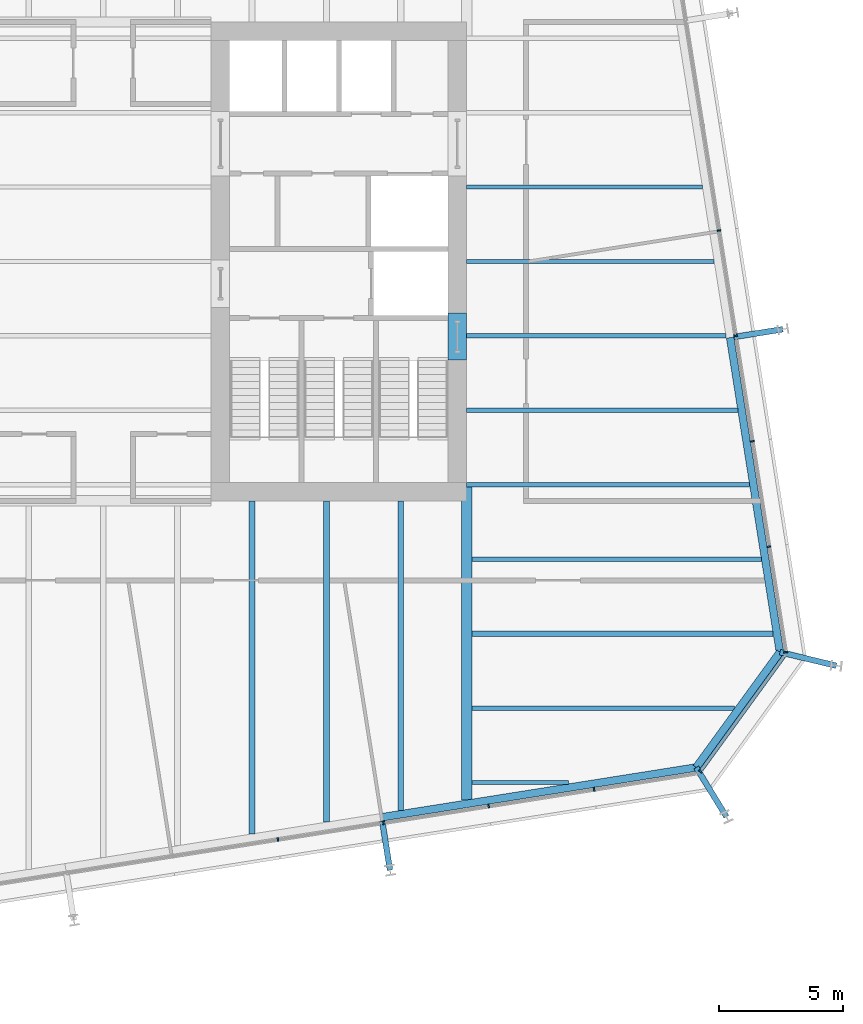
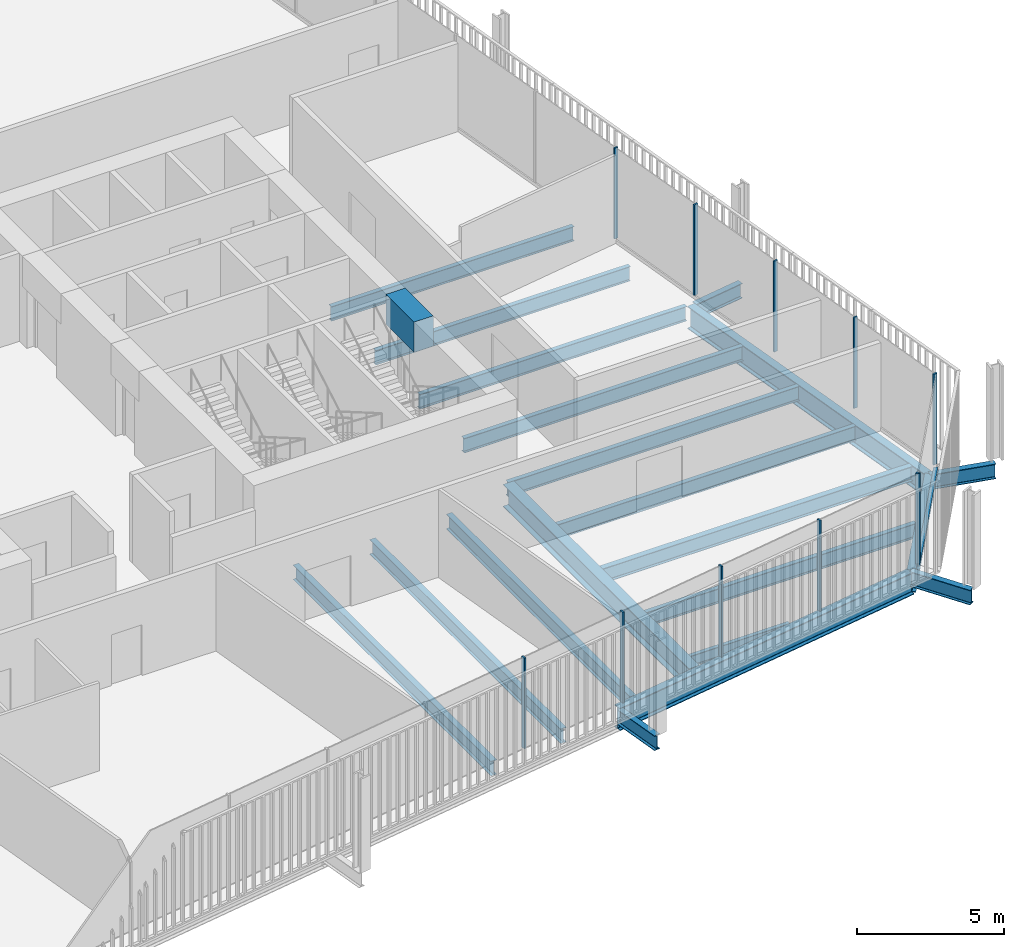
# One storey, part 8 of 21: 21 beams, 11 members, 3 elements without a shape of their own.
"""IFC4 building model written with IfcOpenShell, lengths in metres."""

from ifc_helpers import new_model, si_unit, direction, frame, origin, origin_2d, place, context, subcontext, project, spatial, rectangle, i_section, extrude, material, layer, layer_set, material_profile, profile_set, type_object, element, aggregate, save


model = new_model("IFC4")

# Units and contexts
model_context = context("Model", 3, precision=1e-05, world=origin(), true_north=direction((0.0, 1.0)))
body_context = subcontext(model_context, "Body", "Model", "MODEL_VIEW")
ifc_project = project(units=[si_unit("LENGTHUNIT", "METRE"), si_unit("AREAUNIT", "SQUARE_METRE"), si_unit("VOLUMEUNIT", "CUBIC_METRE"), si_unit("PLANEANGLEUNIT", "RADIAN"), si_unit("MASSUNIT", "GRAM", prefix="KILO")], contexts=[model_context])

# Site, building, storey
site_placement = place(None, origin())
site = spatial("IfcSite", under=ifc_project, at=site_placement, CompositionType="ELEMENT")
building_placement = place(site_placement, origin())
building = spatial("IfcBuilding", under=site, at=building_placement, Name="Millrace Tower", CompositionType="ELEMENT")
storey_placement = place(building_placement, frame((0.0, 0.0, 191.699951171875)))
storey = spatial("IfcBuildingStorey", under=building, at=storey_placement, Name="L43", CompositionType="ELEMENT", Elevation=191.699951171875)

# Curtain wall, members
ifc_material_1 = material(Name="Aluminium and glass", Category="aluminium")
ifc_layer = layer(ifc_material_1, 0.14990234375)
ifc_layer_set = layer_set([ifc_layer], Name="Aluminium and glass")
curtain_wall_type = type_object("IfcCurtainWallType", Name="CW-1 office vision curtain wall", PredefinedType="NOTDEFINED", material=ifc_layer_set)
placement = place(storey_placement, origin())
curtain_wall_1 = element("IfcCurtainWall", 1, at=placement, inside=storey, type_object=curtain_wall_type, Name="Curtain wall C-F02 L43", PredefinedType="NOTDEFINED")
ifc_material_2 = material(Name="Aluminium", Category="aluminium")
ifc_material_profile_1 = material_profile(ifc_material_2, rectangle(XDim=0.06494140625, YDim=0.14990234375, at=origin_2d()))
ifc_profile_set_1 = profile_set([ifc_material_profile_1], Name="Aluminium")
member_type_1 = type_object("IfcMemberType", Name="CW-1 office vision curtain wall mullion", PredefinedType="MULLION", material=ifc_profile_set_1)
member_1_placement = place(storey_placement, frame((7.04345703125, -23.293212890625, 0.14013671875), z_axis=(0.0, 0.0, 1.0), x_axis=(0.98768833929, 0.15643447328, 0.0)))
member_1 = element("IfcMember", 2, at=member_1_placement, type_object=member_type_1, Name="CW1 mullion C-F02.6", PredefinedType="MULLION", context=body_context, shape_type="SweptSolid", body=[
    extrude(rectangle(XDim=0.06494140625, YDim=0.14990234375, at=origin_2d()), origin(), (0.0, 0.0, 1.0), 3.760009765625),
])
member_2_placement = place(storey_placement, frame((11.29052734375, -22.62060546875, 0.14013671875), z_axis=(0.0, 0.0, 1.0), x_axis=(0.98768833929, 0.15643447328, 0.0)))
member_2 = element("IfcMember", 3, at=member_2_placement, type_object=member_type_1, Name="CW1 mullion C-F02.7", PredefinedType="MULLION", context=body_context, shape_type="SweptSolid", body=[
    extrude(rectangle(XDim=0.06494140625, YDim=0.14990234375, at=origin_2d()), origin(), (0.0, 0.0, 1.0), 3.760009765625),
])
member_3_placement = place(storey_placement, frame((15.53759765625, -21.947998046875, 0.14013671875), z_axis=(0.0, 0.0, 1.0), x_axis=(0.98768833929, 0.15643447328, 0.0)))
member_3 = element("IfcMember", 4, at=member_3_placement, type_object=member_type_1, Name="CW1 mullion C-F02.8", PredefinedType="MULLION", context=body_context, shape_type="SweptSolid", body=[
    extrude(rectangle(XDim=0.06494140625, YDim=0.14990234375, at=origin_2d()), origin(), (0.0, 0.0, 1.0), 3.760009765625),
])
member_4_placement = place(storey_placement, frame((19.78466796875, -21.275390625, 0.14013671875), z_axis=(0.0, 0.0, 1.0), x_axis=(0.98768833929, 0.15643447328, 0.0)))
member_4 = element("IfcMember", 5, at=member_4_placement, type_object=member_type_1, Name="CW1 mullion C-F02.9", PredefinedType="MULLION", context=body_context, shape_type="SweptSolid", body=[
    extrude(rectangle(XDim=0.06494140625, YDim=0.14990234375, at=origin_2d()), origin(), (0.0, 0.0, 1.0), 3.760009765625),
])
aggregate(curtain_wall_1, [member_1, member_2, member_3, member_4])

# Curtain wall, member
curtain_wall_2 = element("IfcCurtainWall", 6, at=placement, inside=storey, type_object=curtain_wall_type, Name="Curtain wall C-F03 L43", PredefinedType="NOTDEFINED")
member_5_placement = place(storey_placement, frame((24.06787109375, -20.551513671875, 0.14013671875), z_axis=(0.0, 0.0, 1.0), x_axis=(0.587785269844, 0.809016981623, 0.0)))
member_5 = element("IfcMember", 7, at=member_5_placement, type_object=member_type_1, Name="CW1 mullion C-F03.1", PredefinedType="MULLION", context=body_context, shape_type="SweptSolid", body=[
    extrude(rectangle(XDim=0.06494140625, YDim=0.14990234375, at=origin_2d()), origin(), (0.0, 0.0, 1.0), 3.760009765625),
])

# Curtain wall, members
curtain_wall_3 = element("IfcCurtainWall", 8, at=placement, inside=storey, type_object=curtain_wall_type, Name="Curtain wall C-F04 L43", PredefinedType="NOTDEFINED")
member_6_placement = place(storey_placement, frame((27.506591796875, -15.74169921875, 0.14013671875), z_axis=(0.0, 0.0, 1.0), x_axis=(-0.15643447328, 0.98768833929, 0.0)))
member_6 = element("IfcMember", 9, at=member_6_placement, type_object=member_type_1, Name="CW1 mullion C-F04.1", PredefinedType="MULLION", context=body_context, shape_type="SweptSolid", body=[
    extrude(rectangle(XDim=0.06494140625, YDim=0.14990234375, at=origin_2d()), origin(), (0.0, 0.0, 1.0), 3.760009765625),
])
member_7_placement = place(storey_placement, frame((26.833984375, -11.49462890625, 0.14013671875), z_axis=(0.0, 0.0, 1.0), x_axis=(-0.15643447328, 0.98768833929, 0.0)))
member_7 = element("IfcMember", 10, at=member_7_placement, type_object=member_type_1, Name="CW1 mullion C-F04.2", PredefinedType="MULLION", context=body_context, shape_type="SweptSolid", body=[
    extrude(rectangle(XDim=0.06494140625, YDim=0.14990234375, at=origin_2d()), origin(), (0.0, 0.0, 1.0), 3.760009765625),
])
member_8_placement = place(storey_placement, frame((26.161376953125, -7.24755859375, 0.14013671875), z_axis=(0.0, 0.0, 1.0), x_axis=(-0.15643447328, 0.98768833929, 0.0)))
member_8 = element("IfcMember", 11, at=member_8_placement, type_object=member_type_1, Name="CW1 mullion C-F04.3", PredefinedType="MULLION", context=body_context, shape_type="SweptSolid", body=[
    extrude(rectangle(XDim=0.06494140625, YDim=0.14990234375, at=origin_2d()), origin(), (0.0, 0.0, 1.0), 3.760009765625),
])
member_9_placement = place(storey_placement, frame((25.48876953125, -3.00048828125, 0.14013671875), z_axis=(0.0, 0.0, 1.0), x_axis=(-0.15643447328, 0.98768833929, 0.0)))
member_9 = element("IfcMember", 12, at=member_9_placement, type_object=member_type_1, Name="CW1 mullion C-F04.4", PredefinedType="MULLION", context=body_context, shape_type="SweptSolid", body=[
    extrude(rectangle(XDim=0.06494140625, YDim=0.14990234375, at=origin_2d()), origin(), (0.0, 0.0, 1.0), 3.760009765625),
])
member_10_placement = place(storey_placement, frame((24.81591796875, 1.24658203125, 0.14013671875), z_axis=(0.0, 0.0, 1.0), x_axis=(-0.15643447328, 0.98768833929, 0.0)))
member_10 = element("IfcMember", 13, at=member_10_placement, type_object=member_type_1, Name="CW1 mullion C-F04.5", PredefinedType="MULLION", context=body_context, shape_type="SweptSolid", body=[
    extrude(rectangle(XDim=0.06494140625, YDim=0.14990234375, at=origin_2d()), origin(), (0.0, 0.0, 1.0), 3.760009765625),
])
aggregate(curtain_wall_3, [member_6, member_7, member_8, member_9, member_10])

# Member
ifc_material_3 = material(Name="Aluminium", Category="aluminium")
ifc_material_profile_2 = material_profile(ifc_material_3, rectangle(XDim=0.14990234375, YDim=0.139892578125, at=origin_2d()))
ifc_profile_set_2 = profile_set([ifc_material_profile_2], Name="Aluminium")
member_type_2 = type_object("IfcMemberType", Name="CW-1 office vision curtain wall transom", PredefinedType="USERDEFINED", material=ifc_profile_set_2)
member_11_placement = place(storey_placement, frame((24.107421875, -20.496826171875, 0.070068359375), z_axis=(0.587810581339, 0.808998591139, 0.0), x_axis=(-0.808998591139, 0.587810581339, 0.0)))
member_11 = element("IfcMember", 14, at=member_11_placement, type_object=member_type_2, Name="CW1 transom C-F03.1", ObjectType="TRANSOM", PredefinedType="USERDEFINED", context=body_context, shape_type="SweptSolid", body=[
    extrude(rectangle(XDim=0.14990234375, YDim=0.139892578125, at=origin_2d()), origin(), (0.0, 0.0, 1.0), 5.6689453125),
])

aggregate(curtain_wall_2, [member_5, member_11])

# Beams
ifc_material_4 = material(Name="Concrete C70", Category="concrete")
ifc_material_profile_3 = material_profile(ifc_material_4, rectangle(XDim=0.75, YDim=1.25, at=origin_2d()))
ifc_profile_set_3 = profile_set([ifc_material_profile_3], Name="Concrete C70")
beam_type_1 = type_object("IfcBeamType", Name="Coupling beam 750 x 1250 Concrete C70, 1300 opening", PredefinedType="BEAM", material=ifc_profile_set_3)
beam_1_placement = place(storey_placement, frame((14.27490234375, -2.080078125, 3.025146484375), z_axis=(0.0, -1.0, 0.0), x_axis=(1.0, 0.0, 0.0)))
element("IfcBeam", 15, at=beam_1_placement, inside=storey, type_object=beam_type_1, Name="Coupling beam E L43", PredefinedType="BEAM", context=body_context, shape_type="SweptSolid", body=[
    extrude(rectangle(XDim=0.75, YDim=1.25, at=origin_2d()), origin(), (0.0, 0.0, 1.0), 1.89990234375),
])
ifc_material_5 = material(Name="Steel ASTM A992 Grade 50", Category="steel")
ifc_material_profile_4 = material_profile(ifc_material_5, i_section(OverallWidth=0.15234375, OverallDepth=0.449462890625, WebThickness=0.007568359375, FlangeThickness=0.0107421875, FilletRadius=0.01025390625, at=origin_2d()))
ifc_profile_set_4 = profile_set([ifc_material_profile_4], Name="Steel ASTM A992 Grade 50")
beam_type_2 = type_object("IfcBeamType", Name="Floor beam W18x35", PredefinedType="JOIST", material=ifc_profile_set_4)
beam_2_placement = place(storey_placement, frame((14.859619140625, -21.0, -0.384765625), z_axis=(1.0, 0.0, 0.0), x_axis=(0.0, 1.0, 0.0)))
element("IfcBeam", 16, at=beam_2_placement, inside=storey, type_object=beam_type_2, Name="BM-C-L43-S1-S003", PredefinedType="JOIST", context=body_context, shape_type="SweptSolid", body=[
    extrude(i_section(OverallWidth=0.15234375, OverallDepth=0.449462890625, WebThickness=0.007568359375, FlangeThickness=0.0107421875, FilletRadius=0.01025390625, at=origin_2d()), origin(), (0.0, 0.0, 1.0), 3.9033203125),
])
ifc_material_6 = material(Name="Steel ASTM A992 Grade 50", Category="steel")
ifc_material_profile_5 = material_profile(ifc_material_6, i_section(OverallWidth=0.177978515625, OverallDepth=0.599365234375, WebThickness=0.010009765625, FlangeThickness=0.012939453125, FilletRadius=0.012939453125, at=origin_2d()))
ifc_profile_set_5 = profile_set([ifc_material_profile_5], Name="Steel ASTM A992 Grade 50")
beam_type_3 = type_object("IfcBeamType", Name="Floor beam W24x55", PredefinedType="JOIST", material=ifc_profile_set_5)
beam_3_placement = place(storey_placement, frame((14.64990234375, 0.0, -0.459716796875), z_axis=(1.0, 0.0, 0.0), x_axis=(0.0, 1.0, 0.0)))
element("IfcBeam", 17, at=beam_3_placement, inside=storey, type_object=beam_type_3, Name="BM-C-L43-S1-S021", PredefinedType="JOIST", context=body_context, shape_type="SweptSolid", body=[
    extrude(i_section(OverallWidth=0.177978515625, OverallDepth=0.599365234375, WebThickness=0.010009765625, FlangeThickness=0.012939453125, FilletRadius=0.012939453125, at=origin_2d()), origin(), (0.0, 0.0, 1.0), 9.976318359375),
])
beam_4_placement = place(storey_placement, frame((14.64990234375, 3.0, -0.459716796875), z_axis=(1.0, 0.0, 0.0), x_axis=(0.0, 1.0, 0.0)))
element("IfcBeam", 18, at=beam_4_placement, inside=storey, type_object=beam_type_3, Name="BM-C-L43-S1-S024", PredefinedType="JOIST", context=body_context, shape_type="SweptSolid", body=[
    extrude(i_section(OverallWidth=0.177978515625, OverallDepth=0.599365234375, WebThickness=0.010009765625, FlangeThickness=0.012939453125, FilletRadius=0.012939453125, at=origin_2d()), origin(), (0.0, 0.0, 1.0), 9.501220703125),
])
ifc_material_7 = material(Name="Steel ASTM A992 Grade 50", Category="steel")
ifc_material_profile_6 = material_profile(ifc_material_7, i_section(OverallWidth=0.1787109375, OverallDepth=0.60205078125, WebThickness=0.010986328125, FlangeThickness=0.014892578125, FilletRadius=0.0126953125, at=origin_2d()))
ifc_profile_set_6 = profile_set([ifc_material_profile_6], Name="Steel ASTM A992 Grade 50")
beam_type_4 = type_object("IfcBeamType", Name="Floor beam W24x62", PredefinedType="JOIST", material=ifc_profile_set_6)
beam_5_placement = place(storey_placement, frame((14.859619140625, -12.0, -0.4609375), z_axis=(1.0, 0.0, 0.0), x_axis=(0.0, 1.0, 0.0)))
element("IfcBeam", 19, at=beam_5_placement, inside=storey, type_object=beam_type_4, Name="BM-C-L43-S1-S009", PredefinedType="JOIST", context=body_context, shape_type="SweptSolid", body=[
    extrude(i_section(OverallWidth=0.1787109375, OverallDepth=0.60205078125, WebThickness=0.010986328125, FlangeThickness=0.014892578125, FilletRadius=0.0126953125, at=origin_2d()), origin(), (0.0, 0.0, 1.0), 11.667236328125),
])
beam_6_placement = place(storey_placement, frame((14.64990234375, -9.0, -0.4609375), z_axis=(1.0, 0.0, 0.0), x_axis=(0.0, 1.0, 0.0)))
element("IfcBeam", 20, at=beam_6_placement, inside=storey, type_object=beam_type_4, Name="BM-C-L43-S1-S012", PredefinedType="JOIST", context=body_context, shape_type="SweptSolid", body=[
    extrude(i_section(OverallWidth=0.1787109375, OverallDepth=0.60205078125, WebThickness=0.010986328125, FlangeThickness=0.014892578125, FilletRadius=0.0126953125, at=origin_2d()), origin(), (0.0, 0.0, 1.0), 11.40185546875),
])
beam_7_placement = place(storey_placement, frame((14.64990234375, -6.0, -0.4609375), z_axis=(1.0, 0.0, 0.0), x_axis=(0.0, 1.0, 0.0)))
element("IfcBeam", 21, at=beam_7_placement, inside=storey, type_object=beam_type_4, Name="BM-C-L43-S1-S015", PredefinedType="JOIST", context=body_context, shape_type="SweptSolid", body=[
    extrude(i_section(OverallWidth=0.1787109375, OverallDepth=0.60205078125, WebThickness=0.010986328125, FlangeThickness=0.014892578125, FilletRadius=0.0126953125, at=origin_2d()), origin(), (0.0, 0.0, 1.0), 10.9267578125),
])
beam_8_placement = place(storey_placement, frame((14.64990234375, -3.0, -0.4609375), z_axis=(1.0, 0.0, 0.0), x_axis=(0.0, 1.0, 0.0)))
element("IfcBeam", 22, at=beam_8_placement, inside=storey, type_object=beam_type_4, Name="BM-C-L43-S1-S018", PredefinedType="JOIST", context=body_context, shape_type="SweptSolid", body=[
    extrude(i_section(OverallWidth=0.1787109375, OverallDepth=0.60205078125, WebThickness=0.010986328125, FlangeThickness=0.014892578125, FilletRadius=0.0126953125, at=origin_2d()), origin(), (0.0, 0.0, 1.0), 10.45166015625),
])
beam_9_placement = place(storey_placement, frame((14.859619140625, -18.0, -0.4609375), z_axis=(1.0, 0.0, 0.0), x_axis=(0.0, 1.0, 0.0)))
element("IfcBeam", 23, at=beam_9_placement, inside=storey, type_object=beam_type_4, Name="BM-C-L43-S1-S005", PredefinedType="JOIST", context=body_context, shape_type="SweptSolid", body=[
    extrude(i_section(OverallWidth=0.1787109375, OverallDepth=0.60205078125, WebThickness=0.010986328125, FlangeThickness=0.014892578125, FilletRadius=0.0126953125, at=origin_2d()), origin(), (0.0, 0.0, 1.0), 10.577392578125),
])
ifc_material_8 = material(Name="Steel ASTM A992 Grade 50", Category="steel")
ifc_material_profile_7 = material_profile(ifc_material_8, i_section(OverallWidth=0.228271484375, OverallDepth=0.607177734375, WebThickness=0.01123046875, FlangeThickness=0.017333984375, FilletRadius=0.0126953125, at=origin_2d()))
ifc_profile_set_7 = profile_set([ifc_material_profile_7], Name="Steel ASTM A992 Grade 50")
beam_type_5 = type_object("IfcBeamType", Name="Floor beam W24x76", PredefinedType="JOIST", material=ifc_profile_set_7)
beam_10_placement = place(storey_placement, frame((14.859619140625, -15.0, -0.46337890625), z_axis=(1.0, 0.0, 0.0), x_axis=(0.0, 1.0, 0.0)))
element("IfcBeam", 24, at=beam_10_placement, inside=storey, type_object=beam_type_5, Name="BM-C-L43-S1-S007", PredefinedType="JOIST", context=body_context, shape_type="SweptSolid", body=[
    extrude(i_section(OverallWidth=0.228271484375, OverallDepth=0.607177734375, WebThickness=0.01123046875, FlangeThickness=0.017333984375, FilletRadius=0.0126953125, at=origin_2d()), origin(), (0.0, 0.0, 1.0), 12.142578125),
])
beam_11_placement = place(storey_placement, frame((6.0, -23.071533203125, -0.46337890625), z_axis=(0.0, 1.0, 0.0), x_axis=(-1.0, 0.0, 0.0)))
element("IfcBeam", 25, at=beam_11_placement, inside=storey, type_object=beam_type_5, Name="BM-C-L43-S1-S052", PredefinedType="JOIST", context=body_context, shape_type="SweptSolid", body=[
    extrude(i_section(OverallWidth=0.228271484375, OverallDepth=0.607177734375, WebThickness=0.01123046875, FlangeThickness=0.017333984375, FilletRadius=0.0126953125, at=origin_2d()), origin(), (0.0, 0.0, 1.0), 13.421630859375),
])
beam_12_placement = place(storey_placement, frame((9.0, -22.596435546875, -0.46337890625), z_axis=(0.0, 1.0, 0.0), x_axis=(-1.0, 0.0, 0.0)))
element("IfcBeam", 26, at=beam_12_placement, inside=storey, type_object=beam_type_5, Name="BM-C-L43-S1-S054", PredefinedType="JOIST", context=body_context, shape_type="SweptSolid", body=[
    extrude(i_section(OverallWidth=0.228271484375, OverallDepth=0.607177734375, WebThickness=0.01123046875, FlangeThickness=0.017333984375, FilletRadius=0.0126953125, at=origin_2d()), origin(), (0.0, 0.0, 1.0), 12.946533203125),
])
beam_13_placement = place(storey_placement, frame((12.0, -22.12109375, -0.46337890625), z_axis=(0.0, 1.0, 0.0), x_axis=(-1.0, 0.0, 0.0)))
element("IfcBeam", 27, at=beam_13_placement, inside=storey, type_object=beam_type_5, Name="BM-C-L43-S1-S056", PredefinedType="JOIST", context=body_context, shape_type="SweptSolid", body=[
    extrude(i_section(OverallWidth=0.228271484375, OverallDepth=0.607177734375, WebThickness=0.01123046875, FlangeThickness=0.017333984375, FilletRadius=0.0126953125, at=origin_2d()), origin(), (0.0, 0.0, 1.0), 12.47119140625),
])
ifc_material_9 = material(Name="Steel ASTM A992 Grade 50", Category="steel")
ifc_material_profile_8 = material_profile(ifc_material_9, i_section(OverallWidth=0.419189453125, OverallDepth=0.927001953125, WebThickness=0.019287109375, FlangeThickness=0.031982421875, FilletRadius=0.024169921875, at=origin_2d()))
ifc_profile_set_8 = profile_set([ifc_material_profile_8], Name="Steel ASTM A992 Grade 50")
beam_type_6 = type_object("IfcBeamType", Name="Girder medium span W36x231", PredefinedType="BEAM", material=ifc_profile_set_8)
beam_14_placement = place(storey_placement, frame((14.64990234375, -21.693603515625, -0.62353515625), z_axis=(0.0, 1.0, 0.0), x_axis=(-1.0, 0.0, 0.0)))
element("IfcBeam", 28, at=beam_14_placement, inside=storey, type_object=beam_type_6, Name="BM-C-L43-S1-G060", PredefinedType="BEAM", context=body_context, shape_type="SweptSolid", body=[
    extrude(i_section(OverallWidth=0.419189453125, OverallDepth=0.927001953125, WebThickness=0.019287109375, FlangeThickness=0.031982421875, FilletRadius=0.024169921875, at=origin_2d()), origin(), (0.0, 0.0, 1.0), 12.603515625),
])
ifc_material_10 = material(Name="Steel ASTM A992 Grade 50", Category="steel")
ifc_material_profile_9 = material_profile(ifc_material_10, i_section(OverallWidth=0.23046875, OverallDepth=0.6171875, WebThickness=0.01318359375, FlangeThickness=0.022216796875, FilletRadius=0.012939453125, at=origin_2d()))
ifc_profile_set_9 = profile_set([ifc_material_profile_9], Name="Steel ASTM A992 Grade 50")
beam_type_7 = type_object("IfcBeamType", Name="Link beam W24x94", PredefinedType="BEAM", material=ifc_profile_set_9)
beam_15_placement = place(storey_placement, frame((25.419677734375, -3.04443359375, -0.468505859375), z_axis=(0.987678691416, 0.156495375404, 0.0), x_axis=(-0.156495375404, 0.987678691416, 0.0)))
element("IfcBeam", 29, at=beam_15_placement, inside=storey, type_object=beam_type_7, Name="LNK-C-L43-S1-11", PredefinedType="BEAM", context=body_context, shape_type="SweptSolid", body=[
    extrude(i_section(OverallWidth=0.23046875, OverallDepth=0.6171875, WebThickness=0.01318359375, FlangeThickness=0.022216796875, FilletRadius=0.012939453125, at=origin_2d()), origin(), (0.0, 0.0, 1.0), 2.0),
])
beam_16_placement = place(storey_placement, frame((27.27587890625, -15.746826171875, -0.468505859375), z_axis=(0.972373041068, -0.233432364948, 0.0), x_axis=(0.233432364948, 0.972373041068, 0.0)))
element("IfcBeam", 30, at=beam_16_placement, inside=storey, type_object=beam_type_7, Name="LNK-C-L43-S1-12", PredefinedType="BEAM", context=body_context, shape_type="SweptSolid", body=[
    extrude(i_section(OverallWidth=0.23046875, OverallDepth=0.6171875, WebThickness=0.01318359375, FlangeThickness=0.022216796875, FilletRadius=0.012939453125, at=origin_2d()), origin(), (0.0, 0.0, 1.0), 2.331298828125),
])
beam_17_placement = place(storey_placement, frame((23.901123046875, -20.391845703125, -0.468505859375), z_axis=(0.522512938711, -0.852631355792, 0.0), x_axis=(0.852631355792, 0.522512938711, 0.0)))
element("IfcBeam", 31, at=beam_17_placement, inside=storey, type_object=beam_type_7, Name="LNK-C-L43-S1-13", PredefinedType="BEAM", context=body_context, shape_type="SweptSolid", body=[
    extrude(i_section(OverallWidth=0.23046875, OverallDepth=0.6171875, WebThickness=0.01318359375, FlangeThickness=0.022216796875, FilletRadius=0.012939453125, at=origin_2d()), origin(), (0.0, 0.0, 1.0), 2.3310546875),
])
beam_18_placement = place(storey_placement, frame((11.246826171875, -22.5517578125, -0.468505859375), z_axis=(0.15637629034, -0.987697552806, 0.0), x_axis=(0.987697552806, 0.15637629034, 0.0)))
element("IfcBeam", 32, at=beam_18_placement, inside=storey, type_object=beam_type_7, Name="LNK-C-L43-S1-14", PredefinedType="BEAM", context=body_context, shape_type="SweptSolid", body=[
    extrude(i_section(OverallWidth=0.23046875, OverallDepth=0.6171875, WebThickness=0.01318359375, FlangeThickness=0.022216796875, FilletRadius=0.012939453125, at=origin_2d()), origin(), (0.0, 0.0, 1.0), 2.0),
])
ifc_material_11 = material(Name="Steel ASTM A992 Grade 50", Category="steel")
ifc_material_profile_10 = material_profile(ifc_material_11, i_section(OverallWidth=0.307373046875, OverallDepth=0.927001953125, WebThickness=0.01953125, FlangeThickness=0.031982421875, FilletRadius=0.01904296875, at=origin_2d()))
ifc_profile_set_10 = profile_set([ifc_material_profile_10], Name="Steel ASTM A992 Grade 50")
beam_type_8 = type_object("IfcBeamType", Name="Ring beam medium span W36x194", PredefinedType="SPANDREL", material=ifc_profile_set_10)
for number, where, z_axis, x_axis, name in (
    (33, (25.267822265625, -3.068359375, -0.62353515625), (0.15643330783, -0.987688523879, 0.0), (0.987688523879, 0.15643330783, 0.0), "RNG-C-L43-S1-11"),
    (34, (23.901123046875, -20.391845703125, -0.62353515625), (-0.987688523879, -0.15643330783, 0.0), (0.15643330783, -0.987688523879, 0.0), "RNG-C-L43-S1-13"),
):
    element("IfcBeam", number, at=place(storey_placement, frame(where, z_axis=z_axis, x_axis=x_axis)), inside=storey, type_object=beam_type_8, Name=name, PredefinedType="SPANDREL", context=body_context, shape_type="SweptSolid", body=[
        extrude(i_section(OverallWidth=0.307373046875, OverallDepth=0.927001953125, WebThickness=0.01953125, FlangeThickness=0.031982421875, FilletRadius=0.01904296875, at=origin_2d()), origin(), (0.0, 0.0, 1.0), 12.83642578125),
    ])
ifc_material_12 = material(Name="Steel ASTM A992 Grade 50", Category="steel")
ifc_material_profile_11 = material_profile(ifc_material_12, i_section(OverallWidth=0.307373046875, OverallDepth=0.927001953125, WebThickness=0.01953125, FlangeThickness=0.031982421875, FilletRadius=0.01904296875, at=origin_2d()))
ifc_profile_set_11 = profile_set([ifc_material_profile_11], Name="Steel ASTM A992 Grade 50")
beam_type_9 = type_object("IfcBeamType", Name="Ring beam short span W36x194", PredefinedType="SPANDREL", material=ifc_profile_set_11)
beam_19_placement = place(storey_placement, frame((27.27587890625, -15.746826171875, -0.62353515625), z_axis=(-0.58777973792, -0.809021000772, 0.0), x_axis=(0.809021000772, -0.58777973792, 0.0)))
element("IfcBeam", 35, at=beam_19_placement, inside=storey, type_object=beam_type_9, Name="RNG-C-L43-S1-12", PredefinedType="SPANDREL", context=body_context, shape_type="SweptSolid", body=[
    extrude(i_section(OverallWidth=0.307373046875, OverallDepth=0.927001953125, WebThickness=0.01953125, FlangeThickness=0.031982421875, FilletRadius=0.01904296875, at=origin_2d()), origin(), (0.0, 0.0, 1.0), 5.741455078125),
])

save(model, "model.ifc")
